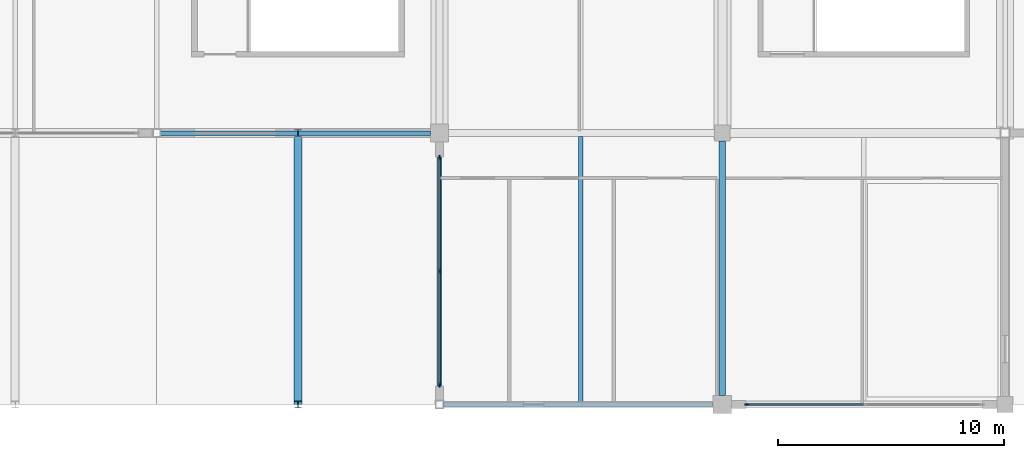
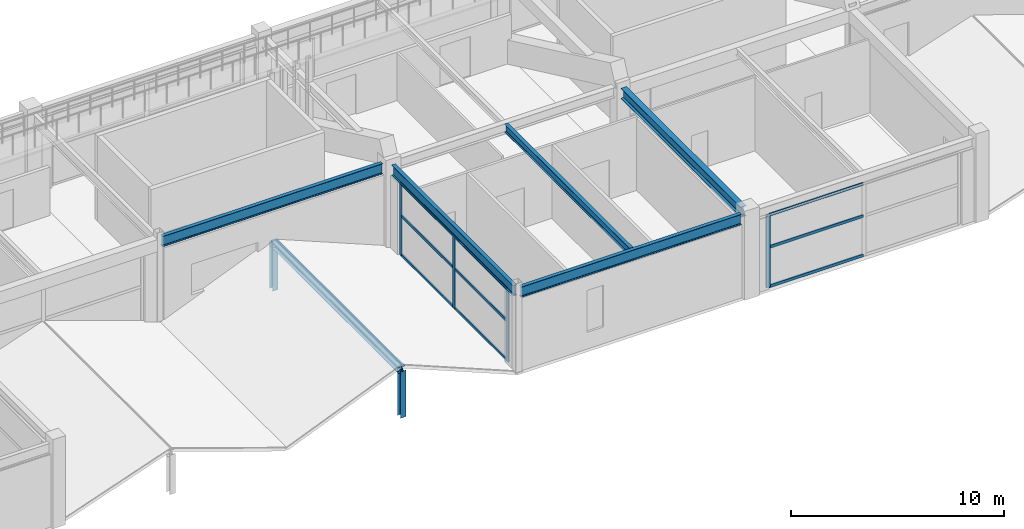
# One storey, part 31 of 128: 16 members, 5 beams, 2 elements without a shape of their own.
"""IFC4 building model written with IfcOpenShell, lengths in metres."""

from ifc_helpers import new_model, si_unit, direction, frame, origin, origin_2d, place, context, subcontext, project, spatial, rectangle, i_section, extrude, material, layer, layer_set, material_profile, profile_set, type_object, element, aggregate, save


model = new_model("IFC4")

# Units and contexts
model_context = context("Model", 3, precision=1e-05, world=origin(), true_north=direction((0.0, 1.0)))
body_context = subcontext(model_context, "Body", "Model", "MODEL_VIEW")
ifc_project = project(units=[si_unit("LENGTHUNIT", "METRE"), si_unit("AREAUNIT", "SQUARE_METRE"), si_unit("VOLUMEUNIT", "CUBIC_METRE"), si_unit("PLANEANGLEUNIT", "RADIAN"), si_unit("MASSUNIT", "GRAM", prefix="KILO")], contexts=[model_context])

# Site, building, storey
site_placement = place(None, origin())
site = spatial("IfcSite", under=ifc_project, at=site_placement, CompositionType="ELEMENT")
building_placement = place(site_placement, origin())
building = spatial("IfcBuilding", under=site, at=building_placement, Name="Kazenohara Klinker Stadium", CompositionType="ELEMENT")
storey_placement = place(building_placement, frame((0.0, 0.0, 15.300048828125)))
storey = spatial("IfcBuildingStorey", under=building, at=storey_placement, Name="L03", CompositionType="ELEMENT", Elevation=15.300048828125)

# Beams
ifc_material_1 = material(Name="Steel S355", Category="steel")
ifc_material_profile_1 = material_profile(ifc_material_1, i_section(OverallWidth=0.199951171875, OverallDepth=0.449951171875, WebThickness=0.009033203125, FlangeThickness=0.013916015625, FilletRadius=0.012939453125, at=origin_2d()), Name="H-450x200x9x14")
ifc_profile_set_1 = profile_set([ifc_material_profile_1], Name="Steel S355")
beam_type_1 = type_object("IfcBeamType", Name="BM-JST02", PredefinedType="JOIST", material=ifc_profile_set_1)
beam_1_placement = place(storey_placement, frame((80.25, 12.10009765625, 4.534912109375), z_axis=(0.0, 1.0, 0.0), x_axis=(-1.0, 0.0, 0.0)))
element("IfcBeam", 1, at=beam_1_placement, inside=storey, type_object=beam_type_1, Name="Secondary floor joist SJ02 L03 7/B", PredefinedType="JOIST", context=body_context, shape_type="SweptSolid", body=[
    extrude(i_section(OverallWidth=0.199951171875, OverallDepth=0.449951171875, WebThickness=0.009033203125, FlangeThickness=0.013916015625, FilletRadius=0.012939453125, at=origin_2d()), origin(), (0.0, 0.0, 1.0), 11.75),
])
ifc_material_profile_2 = material_profile(ifc_material_1, i_section(OverallWidth=0.199951171875, OverallDepth=0.60009765625, WebThickness=0.010986328125, FlangeThickness=0.01708984375, FilletRadius=0.012939453125, at=origin_2d()), Name="H-600x200x11x17")
ifc_profile_set_2 = profile_set([ifc_material_profile_2], Name="Steel S355")
beam_type_2 = type_object("IfcBeamType", Name="BM-ST04", PredefinedType="BEAM", material=ifc_profile_set_2)
for number, where, z_axis, x_axis, name in (
    (2, (61.675048828125, 24.0, 4.4599609375), (1.0, 0.0, 0.0), (0.0, 1.0, 0.0), "Primary girder SB04 L03 6-7/C"),
    (3, (74.175048828125, 12.0, 4.4599609375), (1.0, 0.0, 0.0), (0.0, 1.0, 0.0), "Primary girder SB04 L03 7-8/B"),
):
    element("IfcBeam", number, at=place(storey_placement, frame(where, z_axis=z_axis, x_axis=x_axis)), inside=storey, type_object=beam_type_2, Name=name, PredefinedType="BEAM", context=body_context, shape_type="SweptSolid", body=[
        extrude(i_section(OverallWidth=0.199951171875, OverallDepth=0.60009765625, WebThickness=0.010986328125, FlangeThickness=0.01708984375, FilletRadius=0.012939453125, at=origin_2d()), origin(), (0.0, 0.0, 1.0), 11.925048828125),
    ])
beam_2_placement = place(storey_placement, frame((74.0, 12.175048828125, 4.4599609375), z_axis=(0.0, 1.0, 0.0), x_axis=(-1.0, 0.0, 0.0)))
element("IfcBeam", 4, at=beam_2_placement, inside=storey, type_object=beam_type_2, Name="Primary girder SB04 L03 7/B-C", PredefinedType="BEAM", context=body_context, shape_type="SweptSolid", body=[
    extrude(i_section(OverallWidth=0.199951171875, OverallDepth=0.60009765625, WebThickness=0.010986328125, FlangeThickness=0.01708984375, FilletRadius=0.012939453125, at=origin_2d()), origin(), (0.0, 0.0, 1.0), 11.425048828125),
])
ifc_material_profile_3 = material_profile(ifc_material_1, i_section(OverallWidth=0.300048828125, OverallDepth=0.587890625, WebThickness=0.011962890625, FlangeThickness=0.02001953125, FilletRadius=0.02197265625, at=origin_2d()), Name="H-588x300x12x20")
ifc_profile_set_3 = profile_set([ifc_material_profile_3], Name="Steel S355")
beam_type_3 = type_object("IfcBeamType", Name="BM-ST05", PredefinedType="BEAM", material=ifc_profile_set_3)
beam_3_placement = place(storey_placement, frame((86.5, 12.39990234375, 4.466064453125), z_axis=(0.0, 1.0, 0.0), x_axis=(-1.0, 0.0, 0.0)))
element("IfcBeam", 5, at=beam_3_placement, inside=storey, type_object=beam_type_3, Name="Primary girder SB05 L03 8/B-C", PredefinedType="BEAM", context=body_context, shape_type="SweptSolid", body=[
    extrude(i_section(OverallWidth=0.300048828125, OverallDepth=0.587890625, WebThickness=0.011962890625, FlangeThickness=0.02001953125, FilletRadius=0.02197265625, at=origin_2d()), origin(), (0.0, 0.0, 1.0), 11.25),
])

# Curtain wall, members
ifc_material_2 = material(Name="Anodised aluminium and triple glazing", Category="aluminium")
ifc_layer_1 = layer(ifc_material_2, 0.199951171875)
ifc_layer_set_1 = layer_set([ifc_layer_1], Name="Anodised aluminium and triple glazing")
curtain_wall_type_1 = type_object("IfcCurtainWallType", Name="CW-SYS-03", PredefinedType="USERDEFINED", material=ifc_layer_set_1)
curtain_wall_1_placement = place(storey_placement, origin())
curtain_wall_1 = element("IfcCurtainWall", 6, at=curtain_wall_1_placement, inside=storey, type_object=curtain_wall_type_1, Name="Unitised facade curtain wall CW03 L03 Y6-1", ObjectType="UNITISED CURTAIN WALL", PredefinedType="USERDEFINED")
ifc_material_3 = material(Name="Anodised aluminium 6063-T6", Category="aluminium")
ifc_material_profile_4 = material_profile(ifc_material_3, rectangle(XDim=0.074951171875, YDim=0.219970703125, at=origin_2d()), Name="ALU-MUL-75x220")
ifc_profile_set_4 = profile_set([ifc_material_profile_4], Name="Anodised aluminium 6063-T6")
member_type_1 = type_object("IfcMemberType", Name="CW-MUL-220", PredefinedType="MULLION", material=ifc_profile_set_4)
member_1_placement = place(storey_placement, frame((74.0, 12.866455078125, 0.0), z_axis=(0.0, 0.0, 1.0), x_axis=(-1.0, 0.0, 0.0)))
member_1 = element("IfcMember", 7, at=member_1_placement, type_object=member_type_1, Name="CW03 mullion 1", PredefinedType="MULLION", context=body_context, shape_type="SweptSolid", body=[
    extrude(rectangle(XDim=0.074951171875, YDim=0.219970703125, at=origin_2d()), origin(), (0.0, 0.0, 1.0), 4.159912109375),
])
member_2_placement = place(storey_placement, frame((74.0, 17.887451171875, 0.0), z_axis=(0.0, 0.0, 1.0), x_axis=(-1.0, 0.0, 0.0)))
member_2 = element("IfcMember", 8, at=member_2_placement, type_object=member_type_1, Name="CW03 mullion 2", PredefinedType="MULLION", context=body_context, shape_type="SweptSolid", body=[
    extrude(rectangle(XDim=0.074951171875, YDim=0.219970703125, at=origin_2d()), origin(), (0.0, 0.0, 1.0), 4.159912109375),
])
member_3_placement = place(storey_placement, frame((74.0, 22.908447265625, 0.0), z_axis=(0.0, 0.0, 1.0), x_axis=(-1.0, 0.0, 0.0)))
member_3 = element("IfcMember", 9, at=member_3_placement, type_object=member_type_1, Name="CW03 mullion 3", PredefinedType="MULLION", context=body_context, shape_type="SweptSolid", body=[
    extrude(rectangle(XDim=0.074951171875, YDim=0.219970703125, at=origin_2d()), origin(), (0.0, 0.0, 1.0), 4.159912109375),
])

# Curtain wall, member
ifc_layer_2 = layer(ifc_material_2, 0.18994140625)
ifc_layer_set_2 = layer_set([ifc_layer_2], Name="Anodised aluminium and triple glazing")
curtain_wall_type_2 = type_object("IfcCurtainWallType", Name="CW-SYS-05", PredefinedType="USERDEFINED", material=ifc_layer_set_2)
curtain_wall_2_placement = place(storey_placement, origin())
curtain_wall_2 = element("IfcCurtainWall", 10, at=curtain_wall_2_placement, inside=storey, type_object=curtain_wall_type_2, Name="Unitised facade curtain wall CW05 L03 X7-1", ObjectType="UNITISED CURTAIN WALL", PredefinedType="USERDEFINED")
member_4_placement = place(storey_placement, frame((87.591552734375, 12.0, 0.0), z_axis=(0.0, 0.0, 1.0), x_axis=(0.0, 1.0, 0.0)))
member_4 = element("IfcMember", 11, at=member_4_placement, type_object=member_type_1, Name="CW05 mullion 1", PredefinedType="MULLION", context=body_context, shape_type="SweptSolid", body=[
    extrude(rectangle(XDim=0.074951171875, YDim=0.219970703125, at=origin_2d()), origin(), (0.0, 0.0, 1.0), 4.171875),
])

# Member
ifc_material_profile_5 = material_profile(ifc_material_3, rectangle(XDim=0.074951171875, YDim=0.159912109375, at=origin_2d()), Name="ALU-TRN-75x160")
ifc_profile_set_5 = profile_set([ifc_material_profile_5], Name="Anodised aluminium 6063-T6")
member_type_2 = type_object("IfcMemberType", Name="CW-TRN-160", PredefinedType="USERDEFINED", material=ifc_profile_set_5)
member_5_placement = place(storey_placement, frame((74.0, 12.904052734375, 0.037353515625), z_axis=(0.0, 1.0, 0.0), x_axis=(-1.0, 0.0, 0.0)))
member_5 = element("IfcMember", 12, at=member_5_placement, type_object=member_type_2, Name="CW03 transom 1.1", ObjectType="TRANSOM", PredefinedType="USERDEFINED", context=body_context, shape_type="SweptSolid", body=[
    extrude(rectangle(XDim=0.074951171875, YDim=0.159912109375, at=origin_2d()), origin(), (0.0, 0.0, 1.0), 4.946044921875),
])

member_6_placement = place(storey_placement, frame((74.0, 12.904052734375, 2.287841796875), z_axis=(0.0, 1.0, 0.0), x_axis=(-1.0, 0.0, 0.0)))
member_6 = element("IfcMember", 13, at=member_6_placement, type_object=member_type_2, Name="CW03 transom 1.2", ObjectType="TRANSOM", PredefinedType="USERDEFINED", context=body_context, shape_type="SweptSolid", body=[
    extrude(rectangle(XDim=0.074951171875, YDim=0.159912109375, at=origin_2d()), origin(), (0.0, 0.0, 1.0), 4.946044921875),
])

member_7_placement = place(storey_placement, frame((74.0, 12.904052734375, 4.12255859375), z_axis=(0.0, 1.0, 0.0), x_axis=(-1.0, 0.0, 0.0)))
member_7 = element("IfcMember", 14, at=member_7_placement, type_object=member_type_2, Name="CW03 transom 1.3", ObjectType="TRANSOM", PredefinedType="USERDEFINED", context=body_context, shape_type="SweptSolid", body=[
    extrude(rectangle(XDim=0.074951171875, YDim=0.159912109375, at=origin_2d()), origin(), (0.0, 0.0, 1.0), 4.946044921875),
])

member_8_placement = place(storey_placement, frame((74.0, 17.925048828125, 0.037353515625), z_axis=(0.0, 1.0, 0.0), x_axis=(-1.0, 0.0, 0.0)))
member_8 = element("IfcMember", 15, at=member_8_placement, type_object=member_type_2, Name="CW03 transom 2.1", ObjectType="TRANSOM", PredefinedType="USERDEFINED", context=body_context, shape_type="SweptSolid", body=[
    extrude(rectangle(XDim=0.074951171875, YDim=0.159912109375, at=origin_2d()), origin(), (0.0, 0.0, 1.0), 4.946044921875),
])

member_9_placement = place(storey_placement, frame((74.0, 17.925048828125, 2.287841796875), z_axis=(0.0, 1.0, 0.0), x_axis=(-1.0, 0.0, 0.0)))
member_9 = element("IfcMember", 16, at=member_9_placement, type_object=member_type_2, Name="CW03 transom 2.2", ObjectType="TRANSOM", PredefinedType="USERDEFINED", context=body_context, shape_type="SweptSolid", body=[
    extrude(rectangle(XDim=0.074951171875, YDim=0.159912109375, at=origin_2d()), origin(), (0.0, 0.0, 1.0), 4.946044921875),
])

member_10_placement = place(storey_placement, frame((74.0, 17.925048828125, 4.12255859375), z_axis=(0.0, 1.0, 0.0), x_axis=(-1.0, 0.0, 0.0)))
member_10 = element("IfcMember", 17, at=member_10_placement, type_object=member_type_2, Name="CW03 transom 2.3", ObjectType="TRANSOM", PredefinedType="USERDEFINED", context=body_context, shape_type="SweptSolid", body=[
    extrude(rectangle(XDim=0.074951171875, YDim=0.159912109375, at=origin_2d()), origin(), (0.0, 0.0, 1.0), 4.946044921875),
])

aggregate(curtain_wall_1, [member_1, member_2, member_3, member_5, member_6, member_7, member_8, member_9, member_10])

member_11_placement = place(storey_placement, frame((87.62890625, 12.0, 0.037353515625), z_axis=(1.0, 0.0, 0.0), x_axis=(0.0, 1.0, 0.0)))
member_11 = element("IfcMember", 18, at=member_11_placement, type_object=member_type_2, Name="CW05 transom 1.1", ObjectType="TRANSOM", PredefinedType="USERDEFINED", context=body_context, shape_type="SweptSolid", body=[
    extrude(rectangle(XDim=0.074951171875, YDim=0.159912109375, at=origin_2d()), origin(), (0.0, 0.0, 1.0), 5.108642578125),
])

member_12_placement = place(storey_placement, frame((87.62890625, 12.0, 2.29443359375), z_axis=(1.0, 0.0, 0.0), x_axis=(0.0, 1.0, 0.0)))
member_12 = element("IfcMember", 19, at=member_12_placement, type_object=member_type_2, Name="CW05 transom 1.2", ObjectType="TRANSOM", PredefinedType="USERDEFINED", context=body_context, shape_type="SweptSolid", body=[
    extrude(rectangle(XDim=0.074951171875, YDim=0.159912109375, at=origin_2d()), origin(), (0.0, 0.0, 1.0), 5.108642578125),
])

member_13_placement = place(storey_placement, frame((87.62890625, 12.0, 4.134521484375), z_axis=(1.0, 0.0, 0.0), x_axis=(0.0, 1.0, 0.0)))
member_13 = element("IfcMember", 20, at=member_13_placement, type_object=member_type_2, Name="CW05 transom 1.3", ObjectType="TRANSOM", PredefinedType="USERDEFINED", context=body_context, shape_type="SweptSolid", body=[
    extrude(rectangle(XDim=0.074951171875, YDim=0.159912109375, at=origin_2d()), origin(), (0.0, 0.0, 1.0), 5.108642578125),
])

aggregate(curtain_wall_2, [member_4, member_11, member_12, member_13])

# Members
ifc_material_profile_6 = material_profile(ifc_material_1, i_section(OverallWidth=0.35009765625, OverallDepth=0.35009765625, WebThickness=0.011962890625, FlangeThickness=0.01904296875, FilletRadius=0.012939453125, at=origin_2d()), Name="H-350x350x12x19")
ifc_profile_set_6 = profile_set([ifc_material_profile_6], Name="Steel S355")
member_type_3 = type_object("IfcMemberType", Name="MEM-CHD02", PredefinedType="CHORD", material=ifc_profile_set_6)
member_14_placement = place(storey_placement, frame((67.75, 12.0, 2.22998046875), z_axis=(0.0, 1.0, 0.0), x_axis=(-1.0, 0.0, 0.0)))
element("IfcMember", 21, at=member_14_placement, inside=storey, type_object=member_type_3, Name="Stepped pavilion gable ridge beam L03 6/B", PredefinedType="CHORD", context=body_context, shape_type="SweptSolid", body=[
    extrude(i_section(OverallWidth=0.35009765625, OverallDepth=0.35009765625, WebThickness=0.011962890625, FlangeThickness=0.01904296875, FilletRadius=0.012939453125, at=origin_2d()), origin(), (0.0, 0.0, 1.0), 12.0),
])
ifc_material_profile_7 = material_profile(ifc_material_1, i_section(OverallWidth=0.300048828125, OverallDepth=0.300048828125, WebThickness=0.010009765625, FlangeThickness=0.014892578125, FilletRadius=0.012939453125, at=origin_2d()), Name="H-300x300x10x15")
ifc_profile_set_7 = profile_set([ifc_material_profile_7], Name="Steel S355")
member_type_4 = type_object("IfcMemberType", Name="MEM-STR01", PredefinedType="STRUT", material=ifc_profile_set_7)
for number, where, z_axis, x_axis, name in (
    (22, (67.75, 12.0, -0.429931640625), (0.0, 0.0, 1.0), (1.0, 0.0, 0.0), "Stepped pavilion gable king-post L03 6/B S"),
    (23, (67.75, 24.0, -0.429931640625), (0.0, 0.0, 1.0), (1.0, 0.0, 0.0), "Stepped pavilion gable king-post L03 6/B N"),
):
    element("IfcMember", number, at=place(storey_placement, frame(where, z_axis=z_axis, x_axis=x_axis)), inside=storey, type_object=member_type_4, Name=name, PredefinedType="STRUT", context=body_context, shape_type="SweptSolid", body=[
        extrude(i_section(OverallWidth=0.300048828125, OverallDepth=0.300048828125, WebThickness=0.010009765625, FlangeThickness=0.014892578125, FilletRadius=0.012939453125, at=origin_2d()), origin(), (0.0, 0.0, 1.0), 2.659912109375),
    ])

save(model, "model.ifc")
